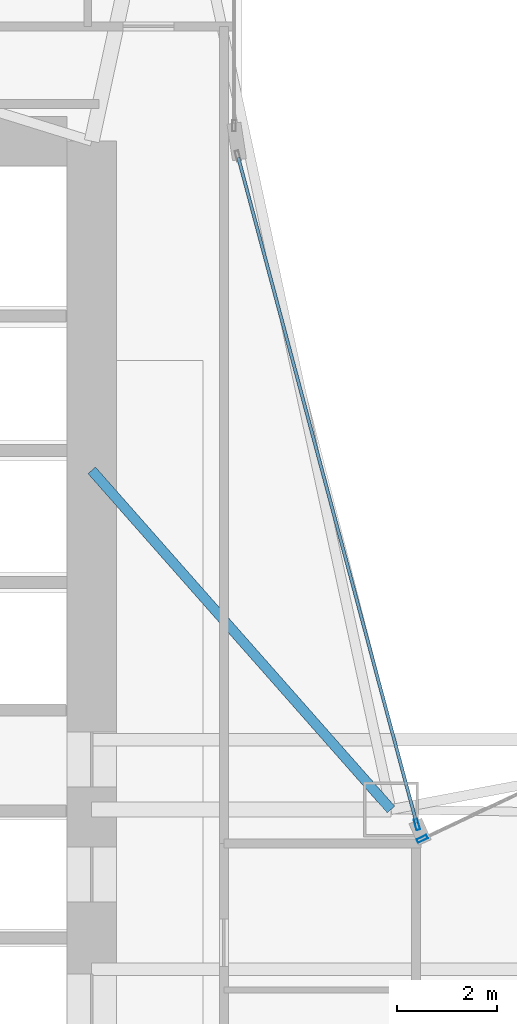
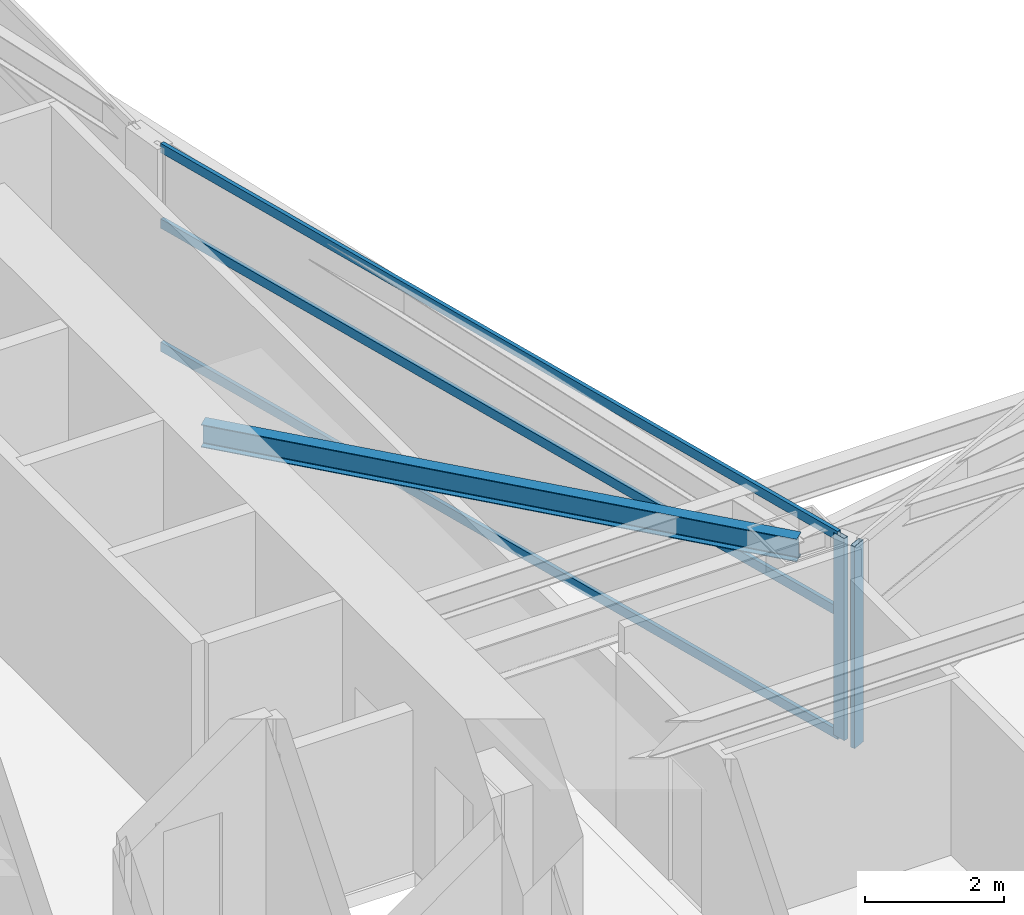
# One storey, part 10 of 29: 5 members, 1 beam, 2 elements without a shape of their own.
"""IFC4 building model written with IfcOpenShell, lengths in metres."""

from ifc_helpers import new_model, si_unit, direction, frame, origin, origin_2d, place, context, subcontext, project, spatial, hollow_rectangle, i_section, extrude, material, layer, layer_set, material_profile, profile_set, type_object, element, aggregate, save


model = new_model("IFC4")

# Units and contexts
model_context = context("Model", 3, precision=1e-05, world=origin(), true_north=direction((0.0, 1.0)))
body_context = subcontext(model_context, "Body", "Model", "MODEL_VIEW")
ifc_project = project(units=[si_unit("LENGTHUNIT", "METRE"), si_unit("AREAUNIT", "SQUARE_METRE"), si_unit("VOLUMEUNIT", "CUBIC_METRE"), si_unit("PLANEANGLEUNIT", "RADIAN"), si_unit("MASSUNIT", "GRAM", prefix="KILO")], contexts=[model_context])

# Site, building, storey
site_placement = place(None, origin())
site = spatial("IfcSite", under=ifc_project, at=site_placement, CompositionType="ELEMENT")
building_placement = place(site_placement, origin())
building = spatial("IfcBuilding", under=site, at=building_placement, Name="Calvorn Quay Hotel", CompositionType="ELEMENT")
storey_placement = place(building_placement, frame((0.0, 0.0, 38.39990234375)))
storey = spatial("IfcBuildingStorey", under=building, at=storey_placement, Name="L08", CompositionType="ELEMENT", Elevation=38.39990234375)

# Beam
ifc_material_1 = material(Name="Steel Q355B", Category="steel")
ifc_material_profile_1 = material_profile(ifc_material_1, i_section(OverallWidth=0.199951171875, OverallDepth=0.39990234375, WebThickness=0.008056640625, FlangeThickness=0.012939453125, FilletRadius=0.01611328125, at=origin_2d()), Name="HN400x200x8x13")
ifc_profile_set_1 = profile_set([ifc_material_profile_1], Name="Steel Q355B")
beam_type = type_object("IfcBeamType", Name="BM-JOIST-TYP", PredefinedType="JOIST", material=ifc_profile_set_1)
beam_placement = place(storey_placement, frame((15.0, 31.800048828125, 3.340087890625), z_axis=(0.661618965899, -0.749840212287, 0.0), x_axis=(0.749840212287, 0.661618965899, 0.0)))
element("IfcBeam", 1, at=beam_placement, inside=storey, type_object=beam_type, Name="Beam BJ-L08-C1", PredefinedType="JOIST", context=body_context, shape_type="SweptSolid", body=[
    extrude(i_section(OverallWidth=0.199951171875, OverallDepth=0.39990234375, WebThickness=0.008056640625, FlangeThickness=0.012939453125, FilletRadius=0.01611328125, at=origin_2d()), origin(), (0.0, 0.0, 1.0), 9.068603515625),
])

# Curtain wall, member
ifc_material_2 = material(Name="Pale Anodised Aluminium and Low-E Glass", Category="aluminium")
ifc_layer = layer(ifc_material_2, 0.219970703125)
ifc_layer_set = layer_set([ifc_layer], Name="CW-SYS-Z1")
curtain_wall_type = type_object("IfcCurtainWallType", Name="CW-SYS-Z1", PredefinedType="NOTDEFINED", material=ifc_layer_set)
curtain_wall_1_placement = place(storey_placement, origin())
curtain_wall_1 = element("IfcCurtainWall", 2, at=curtain_wall_1_placement, inside=storey, type_object=curtain_wall_type, Name="Inner Court Curtain Wall L08-NE1", PredefinedType="NOTDEFINED")
ifc_material_3 = material(Name="Pale Anodised Aluminium 6063-T6", Category="aluminium")
ifc_material_profile_2 = material_profile(ifc_material_3, hollow_rectangle(XDim=0.074951171875, YDim=0.219970703125, WallThickness=0.00439453125, at=origin_2d()), Name="ALU-M220x75x4.5")
ifc_profile_set_2 = profile_set([ifc_material_profile_2], Name="Pale Anodised Aluminium 6063-T6")
member_type_1 = type_object("IfcMemberType", Name="CW-SYS-Z1-MUL", PredefinedType="MULLION", material=ifc_profile_set_2)
member_1_placement = place(storey_placement, frame((21.627197265625, 24.412841796875, 0.0), z_axis=(0.0, 0.0, 1.0), x_axis=(0.427006305415, -0.904248646743, 0.0)))
member_1 = element("IfcMember", 3, at=member_1_placement, type_object=member_type_1, Name="CW-L08-NE1 mullion 4", PredefinedType="MULLION", context=body_context, shape_type="SweptSolid", body=[
    extrude(hollow_rectangle(XDim=0.074951171875, YDim=0.219970703125, WallThickness=0.00439453125, at=origin_2d()), origin(), (0.0, 0.0, 1.0), 3.56005859375),
])
aggregate(curtain_wall_1, [member_1])

# Curtain wall, members
curtain_wall_2_placement = place(storey_placement, origin())
curtain_wall_2 = element("IfcCurtainWall", 4, at=curtain_wall_2_placement, inside=storey, type_object=curtain_wall_type, Name="Inner Court Curtain Wall L08-IC1", PredefinedType="NOTDEFINED")
member_2_placement = place(storey_placement, frame((21.520263671875, 24.698974609375, 0.0), z_axis=(0.0, 0.0, 1.0), x_axis=(-0.96593652056, -0.25877913024, 0.0)))
member_2 = element("IfcMember", 5, at=member_2_placement, type_object=member_type_1, Name="CW-L08-IC1 mullion 1", PredefinedType="MULLION", context=body_context, shape_type="SweptSolid", body=[
    extrude(hollow_rectangle(XDim=0.074951171875, YDim=0.219970703125, WallThickness=0.00439453125, at=origin_2d()), origin(), (0.0, 0.0, 1.0), 3.56005859375),
])
ifc_material_4 = material(Name="Pale Anodised Aluminium 6063-T6", Category="aluminium")
ifc_material_profile_3 = material_profile(ifc_material_4, hollow_rectangle(XDim=0.06494140625, YDim=0.1650390625, WallThickness=0.00341796875, at=origin_2d()), Name="ALU-T165x65x3.5")
ifc_profile_set_3 = profile_set([ifc_material_profile_3], Name="Pale Anodised Aluminium 6063-T6")
member_type_2 = type_object("IfcMemberType", Name="CW-SYS-Z1-TRN", PredefinedType="USERDEFINED", material=ifc_profile_set_3)
member_3_placement = place(storey_placement, frame((21.512451171875, 24.72802734375, 0.030029296875), z_axis=(-0.258781136883, 0.965935982969, 0.0), x_axis=(-0.965935982969, -0.258781136883, 0.0)))
member_3 = element("IfcMember", 6, at=member_3_placement, type_object=member_type_2, Name="CW-L08-IC1 transom 1.1", ObjectType="TRANSOM", PredefinedType="USERDEFINED", context=body_context, shape_type="SweptSolid", body=[
    extrude(hollow_rectangle(XDim=0.06494140625, YDim=0.1650390625, WallThickness=0.00341796875, at=origin_2d()), origin(), (0.0, 0.0, 1.0), 13.814453125),
])
member_4_placement = place(storey_placement, frame((21.512451171875, 24.72802734375, 2.2001953125), z_axis=(-0.258781136883, 0.965935982969, 0.0), x_axis=(-0.965935982969, -0.258781136883, 0.0)))
member_4 = element("IfcMember", 7, at=member_4_placement, type_object=member_type_2, Name="CW-L08-IC1 transom 1.2", ObjectType="TRANSOM", PredefinedType="USERDEFINED", context=body_context, shape_type="SweptSolid", body=[
    extrude(hollow_rectangle(XDim=0.06494140625, YDim=0.1650390625, WallThickness=0.00341796875, at=origin_2d()), origin(), (0.0, 0.0, 1.0), 13.814453125),
])
member_5_placement = place(storey_placement, frame((21.512451171875, 24.72802734375, 3.530029296875), z_axis=(-0.258781136883, 0.965935982969, 0.0), x_axis=(-0.965935982969, -0.258781136883, 0.0)))
member_5 = element("IfcMember", 8, at=member_5_placement, type_object=member_type_2, Name="CW-L08-IC1 transom 1.3", ObjectType="TRANSOM", PredefinedType="USERDEFINED", context=body_context, shape_type="SweptSolid", body=[
    extrude(hollow_rectangle(XDim=0.06494140625, YDim=0.1650390625, WallThickness=0.00341796875, at=origin_2d()), origin(), (0.0, 0.0, 1.0), 13.814453125),
])
aggregate(curtain_wall_2, [member_2, member_3, member_4, member_5])

save(model, "model.ifc")
